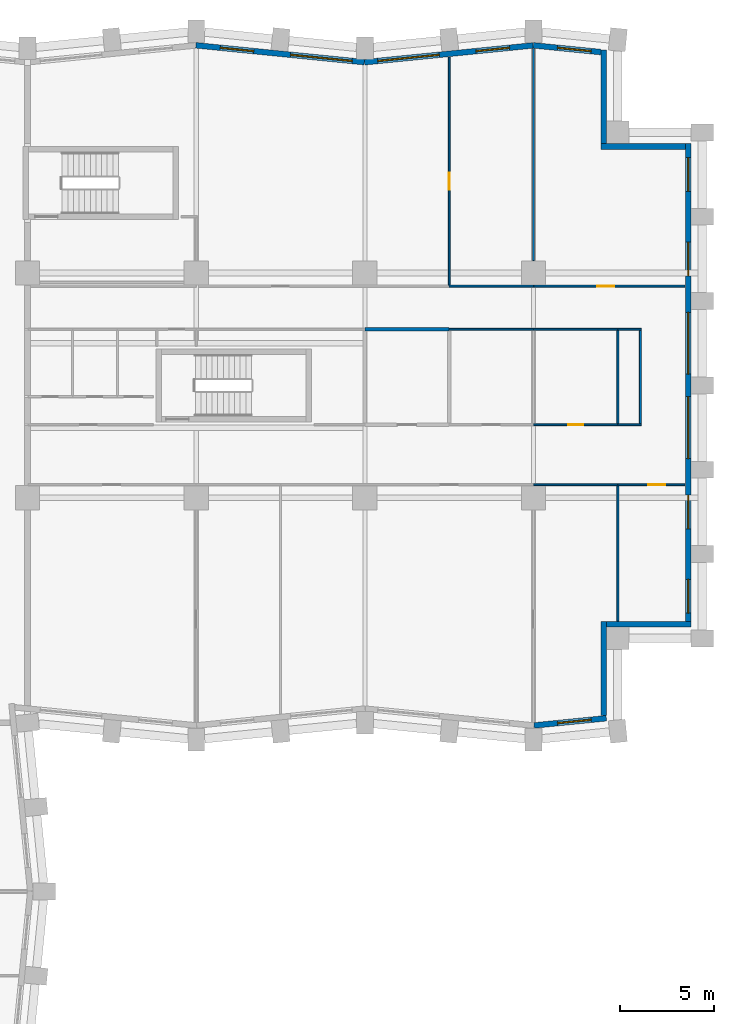
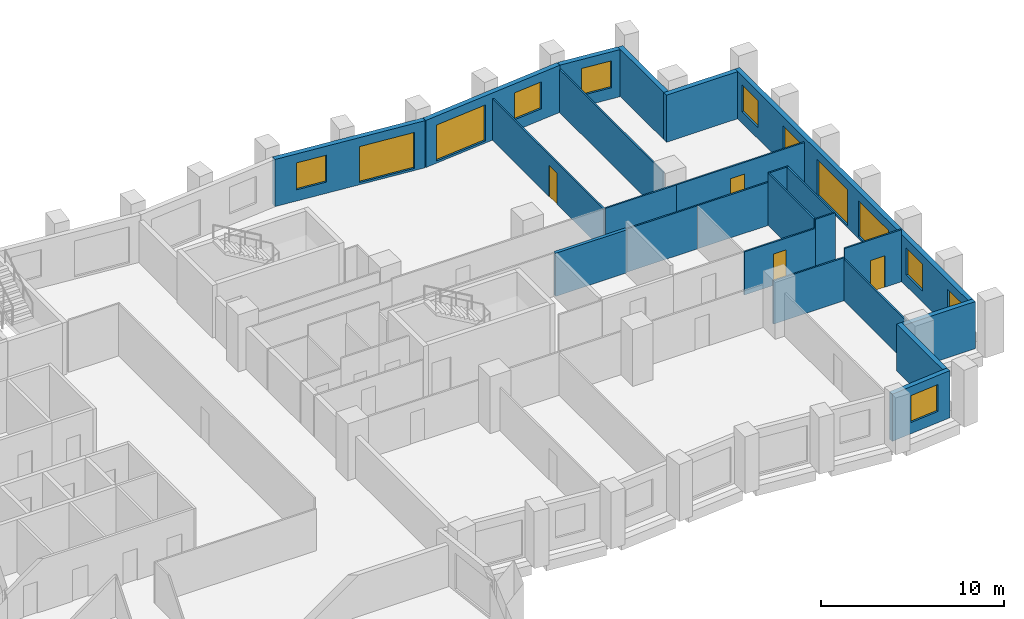
# One storey, part 8 of 11: 24 walls, 12 windows, 4 doors, 16 openings.
"""IFC4 building model written with IfcOpenShell, lengths in metres."""

from ifc_helpers import new_model, si_unit, direction, frame, frame_2d, origin, place, context, subcontext, project, spatial, rectangle, extrude, material, layer, layer_set, type_object, element, fill, save


model = new_model("IFC4")

# Units and contexts
model_context = context("Model", 3, precision=1e-05, world=origin(), true_north=direction((0.0, 1.0)))
body_context = subcontext(model_context, "Body", "Model", "MODEL_VIEW")
ifc_project = project(units=[si_unit("LENGTHUNIT", "METRE"), si_unit("AREAUNIT", "SQUARE_METRE"), si_unit("VOLUMEUNIT", "CUBIC_METRE"), si_unit("PLANEANGLEUNIT", "RADIAN"), si_unit("MASSUNIT", "GRAM", prefix="KILO")], contexts=[model_context])

# Site, building, storey
site_placement = place(None, origin())
site = spatial("IfcSite", under=ifc_project, at=site_placement, CompositionType="ELEMENT")
building_placement = place(site_placement, origin())
building = spatial("IfcBuilding", under=site, at=building_placement, Name="Brondeck Convention Tower", CompositionType="ELEMENT")
storey_placement = place(building_placement, frame((0.0, 0.0, 96.10009765625)))
storey = spatial("IfcBuildingStorey", under=building, at=storey_placement, Name="L22", CompositionType="ELEMENT", Elevation=96.10009765625)

# Wall, opening, window
ifc_material_1 = material(Name="Precast concrete C50/60 bronze finish", Category="concrete")
ifc_layer_1 = layer(ifc_material_1, 0.070068359375, Name="Bronze precast facing")
ifc_material_2 = material(Name="Mineral wool")
ifc_layer_2 = layer(ifc_material_2, 0.159912109375, Name="Insulation")
ifc_material_3 = material(Name="Concrete C35/45", Category="concrete")
ifc_layer_3 = layer(ifc_material_3, 0.070068359375, Name="Backing")
ifc_layer_set_1 = layer_set([ifc_layer_1, ifc_layer_2, ifc_layer_3], Name="External infill wall, precast concrete C50/60 bronze facing")
wall_type_1 = type_object("IfcWallType", Name="External infill wall, precast concrete C50/60 bronze facing", PredefinedType="SOLIDWALL", material=ifc_layer_set_1)
wall_1_placement = place(storey_placement, frame((66.885009765625, 27.2421875, 0.0), z_axis=(0.0, 0.0, 1.0), x_axis=(-0.995037814081, -0.099497480111, 0.0)))
wall_1 = element("IfcWall", 1, at=wall_1_placement, inside=storey, type_object=wall_type_1, Name="ENV-EW-L22-P0-A-S-06", PredefinedType="SOLIDWALL", context=body_context, shape_type="SweptSolid", body=[
    extrude(rectangle(XDim=3.87451171875, YDim=0.300048828125, at=frame_2d((1.937255859375, 0.0))), origin(), (0.0, 0.0, 1.0), 3.14990234375),
])
opening_1_placement = place(wall_1_placement, frame((0.818359375, 0.0, 0.75)))
opening_1 = element("IfcOpeningElement", 2, at=opening_1_placement, cuts=wall_1, Name="Opening W10", PredefinedType="OPENING", context=body_context, shape_type="SweptSolid", body=[
    extrude(rectangle(XDim=1.800048828125, YDim=1.800048828125, at=frame_2d((0.89990234375, 0.89990234375))), frame((0.0, 0.159912109375, 0.0), z_axis=(0.0, -1.0, 0.0), x_axis=(1.0, 0.0, 0.0)), (0.0, 0.0, 1.0), 0.320068359375),
])
ifc_material_4 = material(Name="Bronze tinted double glazing", Category="glass")
window_type_1 = type_object("IfcWindowType", Name="Punched window, bronze tinted", PartitioningType="SINGLE_PANEL", PredefinedType="WINDOW", material=ifc_material_4)
window_1_placement = place(opening_1_placement, origin())
window_1 = element("IfcWindow", 3, at=window_1_placement, inside=storey, type_object=window_type_1, Name="ENV-WN-L22-P0-A-S-06", OverallHeight=1.800048828125, OverallWidth=1.800048828125, PartitioningType="SINGLE_PANEL", PredefinedType="WINDOW", context=body_context, shape_type="SweptSolid", body=[
    extrude(rectangle(XDim=1.800048828125, YDim=1.800048828125, at=frame_2d((0.89990234375, 0.89990234375))), frame((0.0, 0.030029296875, 0.0), z_axis=(0.0, -1.0, 0.0), x_axis=(1.0, 0.0, 0.0)), (0.0, 0.0, 1.0), 0.06005859375),
])
fill(opening_1, window_1)

# Walls
wall_2_placement = place(storey_placement, frame((66.75, 32.39990234375, 0.0), z_axis=(0.0, 0.0, 1.0), x_axis=(0.0, -1.0, 0.0)))
element("IfcWall", 4, at=wall_2_placement, inside=storey, type_object=wall_type_1, Name="ENV-EW-L22-P0-NC-SEA72-01", PredefinedType="SOLIDWALL", context=body_context, shape_type="SweptSolid", body=[
    extrude(rectangle(XDim=5.019287109375, YDim=0.300048828125, at=frame_2d((2.509765625, 0.0))), origin(), (0.0, 0.0, 1.0), 3.14990234375),
])
wall_3_placement = place(storey_placement, frame((71.39990234375, 32.25, 0.0), z_axis=(0.0, 0.0, 1.0), x_axis=(-1.0, 0.0, 0.0)))
element("IfcWall", 5, at=wall_3_placement, inside=storey, type_object=wall_type_1, Name="ENV-EW-L22-P0-NC-SEA72-02", PredefinedType="SOLIDWALL", context=body_context, shape_type="SweptSolid", body=[
    extrude(rectangle(XDim=4.5, YDim=0.300048828125, at=frame_2d((2.25, 0.0))), origin(), (0.0, 0.0, 1.0), 3.14990234375),
])

# Wall, openings, windows
wall_4_placement = place(storey_placement, frame((71.25, 57.89990234375, 0.0), z_axis=(0.0, 0.0, 1.0), x_axis=(0.0, -1.0, 0.0)))
wall_4 = element("IfcWall", 6, at=wall_4_placement, inside=storey, type_object=wall_type_1, Name="ENV-EW-L22-P0-A-E72-01", PredefinedType="SOLIDWALL", context=body_context, shape_type="SweptSolid", body=[
    extrude(rectangle(XDim=25.501953125, YDim=0.300048828125, at=frame_2d((12.7509765625, 0.0))), origin(), (0.0, 0.0, 1.0), 3.14990234375),
])
opening_2_placement = place(wall_4_placement, frame((0.75, 0.0, 0.75)))
opening_2 = element("IfcOpeningElement", 7, at=opening_2_placement, cuts=wall_4, Name="Opening W10", PredefinedType="OPENING", context=body_context, shape_type="SweptSolid", body=[
    extrude(rectangle(XDim=1.800048828125, YDim=1.800048828125, at=frame_2d((0.89990234375, 0.89990234375))), frame((0.0, 0.159912109375, 0.0), z_axis=(0.0, -1.0, 0.0), x_axis=(1.0, 0.0, 0.0)), (0.0, 0.0, 1.0), 0.320068359375),
])
opening_3_placement = place(wall_4_placement, frame((5.25, 0.0, 0.75)))
opening_3 = element("IfcOpeningElement", 8, at=opening_3_placement, cuts=wall_4, Name="Opening W10", PredefinedType="OPENING", context=body_context, shape_type="SweptSolid", body=[
    extrude(rectangle(XDim=1.800048828125, YDim=1.800048828125, at=frame_2d((0.89990234375, 0.89990234375))), frame((0.0, 0.159912109375, 0.0), z_axis=(0.0, -1.0, 0.0), x_axis=(1.0, 0.0, 0.0)), (0.0, 0.0, 1.0), 0.320068359375),
])
opening_4_placement = place(wall_4_placement, frame((9.0, 0.0, 0.14990234375)))
opening_4 = element("IfcOpeningElement", 9, at=opening_4_placement, cuts=wall_4, Name="Opening W9", PredefinedType="OPENING", context=body_context, shape_type="SweptSolid", body=[
    extrude(rectangle(XDim=3.300048828125, YDim=2.39990234375, at=frame_2d((1.64990234375, 1.199951171875))), frame((0.0, 0.159912109375, 0.0), z_axis=(0.0, -1.0, 0.0), x_axis=(1.0, 0.0, 0.0)), (0.0, 0.0, 1.0), 0.320068359375),
])
opening_5_placement = place(wall_4_placement, frame((13.5, 0.0, 0.14990234375)))
opening_5 = element("IfcOpeningElement", 10, at=opening_5_placement, cuts=wall_4, Name="Opening W9", PredefinedType="OPENING", context=body_context, shape_type="SweptSolid", body=[
    extrude(rectangle(XDim=3.300048828125, YDim=2.39990234375, at=frame_2d((1.64990234375, 1.199951171875))), frame((0.0, 0.159912109375, 0.0), z_axis=(0.0, -1.0, 0.0), x_axis=(1.0, 0.0, 0.0)), (0.0, 0.0, 1.0), 0.320068359375),
])
opening_6_placement = place(wall_4_placement, frame((18.75, 0.0, 0.75)))
opening_6 = element("IfcOpeningElement", 11, at=opening_6_placement, cuts=wall_4, Name="Opening W10", PredefinedType="OPENING", context=body_context, shape_type="SweptSolid", body=[
    extrude(rectangle(XDim=1.800048828125, YDim=1.800048828125, at=frame_2d((0.89990234375, 0.89990234375))), frame((0.0, 0.159912109375, 0.0), z_axis=(0.0, -1.0, 0.0), x_axis=(1.0, 0.0, 0.0)), (0.0, 0.0, 1.0), 0.320068359375),
])
opening_7_placement = place(wall_4_placement, frame((23.25, 0.0, 0.75)))
opening_7 = element("IfcOpeningElement", 12, at=opening_7_placement, cuts=wall_4, Name="Opening W10", PredefinedType="OPENING", context=body_context, shape_type="SweptSolid", body=[
    extrude(rectangle(XDim=1.800048828125, YDim=1.800048828125, at=frame_2d((0.89990234375, 0.89990234375))), frame((0.0, 0.159912109375, 0.0), z_axis=(0.0, -1.0, 0.0), x_axis=(1.0, 0.0, 0.0)), (0.0, 0.0, 1.0), 0.320068359375),
])
window_type_2 = type_object("IfcWindowType", Name="Glazed flute window, bronze tinted", PartitioningType="SINGLE_PANEL", PredefinedType="WINDOW", material=ifc_material_4)
window_2_placement = place(opening_4_placement, origin())
window_2 = element("IfcWindow", 13, at=window_2_placement, inside=storey, type_object=window_type_2, Name="ENV-WN-L22-P0-A-E72-04", OverallHeight=2.39990234375, OverallWidth=3.300048828125, PartitioningType="SINGLE_PANEL", PredefinedType="WINDOW", context=body_context, shape_type="SweptSolid", body=[
    extrude(rectangle(XDim=3.300048828125, YDim=2.39990234375, at=frame_2d((1.64990234375, 1.199951171875))), frame((0.0, 0.030029296875, 0.0), z_axis=(0.0, -1.0, 0.0), x_axis=(1.0, 0.0, 0.0)), (0.0, 0.0, 1.0), 0.06005859375),
])
fill(opening_4, window_2)
window_3_placement = place(opening_5_placement, origin())
window_3 = element("IfcWindow", 14, at=window_3_placement, inside=storey, type_object=window_type_2, Name="ENV-WN-L22-P0-A-E72-03", OverallHeight=2.39990234375, OverallWidth=3.300048828125, PartitioningType="SINGLE_PANEL", PredefinedType="WINDOW", context=body_context, shape_type="SweptSolid", body=[
    extrude(rectangle(XDim=3.300048828125, YDim=2.39990234375, at=frame_2d((1.64990234375, 1.199951171875))), frame((0.0, 0.030029296875, 0.0), z_axis=(0.0, -1.0, 0.0), x_axis=(1.0, 0.0, 0.0)), (0.0, 0.0, 1.0), 0.06005859375),
])
fill(opening_5, window_3)
window_4_placement = place(opening_2_placement, origin())
window_4 = element("IfcWindow", 15, at=window_4_placement, inside=storey, type_object=window_type_1, Name="ENV-WN-L22-P0-A-E72-06", OverallHeight=1.800048828125, OverallWidth=1.800048828125, PartitioningType="SINGLE_PANEL", PredefinedType="WINDOW", context=body_context, shape_type="SweptSolid", body=[
    extrude(rectangle(XDim=1.800048828125, YDim=1.800048828125, at=frame_2d((0.89990234375, 0.89990234375))), frame((0.0, 0.030029296875, 0.0), z_axis=(0.0, -1.0, 0.0), x_axis=(1.0, 0.0, 0.0)), (0.0, 0.0, 1.0), 0.06005859375),
])
fill(opening_2, window_4)
window_5_placement = place(opening_3_placement, origin())
window_5 = element("IfcWindow", 16, at=window_5_placement, inside=storey, type_object=window_type_1, Name="ENV-WN-L22-P0-A-E72-05", OverallHeight=1.800048828125, OverallWidth=1.800048828125, PartitioningType="SINGLE_PANEL", PredefinedType="WINDOW", context=body_context, shape_type="SweptSolid", body=[
    extrude(rectangle(XDim=1.800048828125, YDim=1.800048828125, at=frame_2d((0.89990234375, 0.89990234375))), frame((0.0, 0.030029296875, 0.0), z_axis=(0.0, -1.0, 0.0), x_axis=(1.0, 0.0, 0.0)), (0.0, 0.0, 1.0), 0.06005859375),
])
fill(opening_3, window_5)
window_6_placement = place(opening_6_placement, origin())
window_6 = element("IfcWindow", 17, at=window_6_placement, inside=storey, type_object=window_type_1, Name="ENV-WN-L22-P0-A-E72-02", OverallHeight=1.800048828125, OverallWidth=1.800048828125, PartitioningType="SINGLE_PANEL", PredefinedType="WINDOW", context=body_context, shape_type="SweptSolid", body=[
    extrude(rectangle(XDim=1.800048828125, YDim=1.800048828125, at=frame_2d((0.89990234375, 0.89990234375))), frame((0.0, 0.030029296875, 0.0), z_axis=(0.0, -1.0, 0.0), x_axis=(1.0, 0.0, 0.0)), (0.0, 0.0, 1.0), 0.06005859375),
])
fill(opening_6, window_6)
window_7_placement = place(opening_7_placement, origin())
window_7 = element("IfcWindow", 18, at=window_7_placement, inside=storey, type_object=window_type_1, Name="ENV-WN-L22-P0-A-E72-01", OverallHeight=1.800048828125, OverallWidth=1.800048828125, PartitioningType="SINGLE_PANEL", PredefinedType="WINDOW", context=body_context, shape_type="SweptSolid", body=[
    extrude(rectangle(XDim=1.800048828125, YDim=1.800048828125, at=frame_2d((0.89990234375, 0.89990234375))), frame((0.0, 0.030029296875, 0.0), z_axis=(0.0, -1.0, 0.0), x_axis=(1.0, 0.0, 0.0)), (0.0, 0.0, 1.0), 0.06005859375),
])
fill(opening_7, window_7)

# Walls
wall_5_placement = place(storey_placement, frame((66.60009765625, 57.75, 0.0), z_axis=(0.0, 0.0, 1.0), x_axis=(1.0, 0.0, 0.0)))
element("IfcWall", 19, at=wall_5_placement, inside=storey, type_object=wall_type_1, Name="ENV-EW-L22-P0-NC-NEA72-01", PredefinedType="SOLIDWALL", context=body_context, shape_type="SweptSolid", body=[
    extrude(rectangle(XDim=4.5, YDim=0.300048828125, at=frame_2d((2.25, 0.0))), origin(), (0.0, 0.0, 1.0), 3.14990234375),
])
wall_6_placement = place(storey_placement, frame((66.75, 62.906982421875, 0.0), z_axis=(0.0, 0.0, 1.0), x_axis=(0.0, -1.0, 0.0)))
element("IfcWall", 20, at=wall_6_placement, inside=storey, type_object=wall_type_1, Name="ENV-EW-L22-P0-NC-NEA72-02", PredefinedType="SOLIDWALL", context=body_context, shape_type="SweptSolid", body=[
    extrude(rectangle(XDim=5.009033203125, YDim=0.300048828125, at=frame_2d((2.50439453125, 0.0))), origin(), (0.0, 0.0, 1.0), 3.14990234375),
])

# Wall, opening, window
wall_7_placement = place(storey_placement, frame((62.985107421875, 63.147705078125, 0.0), z_axis=(0.0, 0.0, 1.0), x_axis=(0.995038521274, -0.099490407478, 0.0)))
wall_7 = element("IfcWall", 21, at=wall_7_placement, inside=storey, type_object=wall_type_1, Name="ENV-EW-L22-P0-A-N-14", PredefinedType="SOLIDWALL", context=body_context, shape_type="SweptSolid", body=[
    extrude(rectangle(XDim=3.6318359375, YDim=0.300048828125, at=frame_2d((1.81591796875, 0.0))), origin(), (0.0, 0.0, 1.0), 3.14990234375),
])
opening_8_placement = place(wall_7_placement, frame((1.30126953125, 0.0, 0.75)))
opening_8 = element("IfcOpeningElement", 22, at=opening_8_placement, cuts=wall_7, Name="Opening W10", PredefinedType="OPENING", context=body_context, shape_type="SweptSolid", body=[
    extrude(rectangle(XDim=1.800048828125, YDim=1.800048828125, at=frame_2d((0.89990234375, 0.89990234375))), frame((0.0, 0.159912109375, 0.0), z_axis=(0.0, -1.0, 0.0), x_axis=(1.0, 0.0, 0.0)), (0.0, 0.0, 1.0), 0.320068359375),
])
window_8_placement = place(opening_8_placement, origin())
window_8 = element("IfcWindow", 23, at=window_8_placement, inside=storey, type_object=window_type_1, Name="ENV-WN-L22-P0-A-N-14", OverallHeight=1.800048828125, OverallWidth=1.800048828125, PartitioningType="SINGLE_PANEL", PredefinedType="WINDOW", context=body_context, shape_type="SweptSolid", body=[
    extrude(rectangle(XDim=1.800048828125, YDim=1.800048828125, at=frame_2d((0.89990234375, 0.89990234375))), frame((0.0, 0.030029296875, 0.0), z_axis=(0.0, -1.0, 0.0), x_axis=(1.0, 0.0, 0.0)), (0.0, 0.0, 1.0), 0.06005859375),
])
fill(opening_8, window_8)

# Wall, openings, windows
wall_8_placement = place(storey_placement, frame((53.985107421875, 62.244873046875, 0.0), z_axis=(0.0, 0.0, 1.0), x_axis=(0.995037993253, 0.099495688264, 0.0)))
wall_8 = element("IfcWall", 24, at=wall_8_placement, inside=storey, type_object=wall_type_1, Name="ENV-EW-L22-P0-A-N-13", PredefinedType="SOLIDWALL", context=body_context, shape_type="SweptSolid", body=[
    extrude(rectangle(XDim=9.030029296875, YDim=0.300048828125, at=frame_2d((4.51513671875, 0.0))), origin(), (0.0, 0.0, 1.0), 3.14990234375),
])
opening_9_placement = place(wall_8_placement, frame((0.701171875, 0.0, 0.14990234375)))
opening_9 = element("IfcOpeningElement", 25, at=opening_9_placement, cuts=wall_8, Name="Opening W9", PredefinedType="OPENING", context=body_context, shape_type="SweptSolid", body=[
    extrude(rectangle(XDim=3.300048828125, YDim=2.39990234375, at=frame_2d((1.64990234375, 1.199951171875))), frame((0.0, 0.159912109375, 0.0), z_axis=(0.0, -1.0, 0.0), x_axis=(1.0, 0.0, 0.0)), (0.0, 0.0, 1.0), 0.320068359375),
])
opening_10_placement = place(wall_8_placement, frame((5.9736328125, 0.0, 0.75)))
opening_10 = element("IfcOpeningElement", 26, at=opening_10_placement, cuts=wall_8, Name="Opening W10", PredefinedType="OPENING", context=body_context, shape_type="SweptSolid", body=[
    extrude(rectangle(XDim=1.800048828125, YDim=1.800048828125, at=frame_2d((0.89990234375, 0.89990234375))), frame((0.0, 0.159912109375, 0.0), z_axis=(0.0, -1.0, 0.0), x_axis=(1.0, 0.0, 0.0)), (0.0, 0.0, 1.0), 0.320068359375),
])
window_9_placement = place(opening_9_placement, origin())
window_9 = element("IfcWindow", 27, at=window_9_placement, inside=storey, type_object=window_type_2, Name="ENV-WN-L22-P0-A-N-12", OverallHeight=2.39990234375, OverallWidth=3.300048828125, PartitioningType="SINGLE_PANEL", PredefinedType="WINDOW", context=body_context, shape_type="SweptSolid", body=[
    extrude(rectangle(XDim=3.300048828125, YDim=2.39990234375, at=frame_2d((1.64990234375, 1.199951171875))), frame((0.0, 0.030029296875, 0.0), z_axis=(0.0, -1.0, 0.0), x_axis=(1.0, 0.0, 0.0)), (0.0, 0.0, 1.0), 0.06005859375),
])
fill(opening_9, window_9)
window_10_placement = place(opening_10_placement, origin())
window_10 = element("IfcWindow", 28, at=window_10_placement, inside=storey, type_object=window_type_1, Name="ENV-WN-L22-P0-A-N-13", OverallHeight=1.800048828125, OverallWidth=1.800048828125, PartitioningType="SINGLE_PANEL", PredefinedType="WINDOW", context=body_context, shape_type="SweptSolid", body=[
    extrude(rectangle(XDim=1.800048828125, YDim=1.800048828125, at=frame_2d((0.89990234375, 0.89990234375))), frame((0.0, 0.030029296875, 0.0), z_axis=(0.0, -1.0, 0.0), x_axis=(1.0, 0.0, 0.0)), (0.0, 0.0, 1.0), 0.06005859375),
])
fill(opening_10, window_10)

wall_9_placement = place(storey_placement, frame((44.985107421875, 63.147705078125, 0.0), z_axis=(0.0, 0.0, 1.0), x_axis=(0.995037993253, -0.099495688264, 0.0)))
wall_9 = element("IfcWall", 29, at=wall_9_placement, inside=storey, type_object=wall_type_1, Name="ENV-EW-L22-P0-A-N-11", PredefinedType="SOLIDWALL", context=body_context, shape_type="SweptSolid", body=[
    extrude(rectangle(XDim=9.030029296875, YDim=0.300048828125, at=frame_2d((4.51513671875, 0.0))), origin(), (0.0, 0.0, 1.0), 3.14990234375),
])
opening_11_placement = place(wall_9_placement, frame((1.30126953125, 0.0, 0.75)))
opening_11 = element("IfcOpeningElement", 30, at=opening_11_placement, cuts=wall_9, Name="Opening W10", PredefinedType="OPENING", context=body_context, shape_type="SweptSolid", body=[
    extrude(rectangle(XDim=1.800048828125, YDim=1.800048828125, at=frame_2d((0.89990234375, 0.89990234375))), frame((0.0, 0.159912109375, 0.0), z_axis=(0.0, -1.0, 0.0), x_axis=(1.0, 0.0, 0.0)), (0.0, 0.0, 1.0), 0.320068359375),
])
opening_12_placement = place(wall_9_placement, frame((5.073486328125, 0.0, 0.14990234375)))
opening_12 = element("IfcOpeningElement", 31, at=opening_12_placement, cuts=wall_9, Name="Opening W9", PredefinedType="OPENING", context=body_context, shape_type="SweptSolid", body=[
    extrude(rectangle(XDim=3.300048828125, YDim=2.39990234375, at=frame_2d((1.64990234375, 1.199951171875))), frame((0.0, 0.159912109375, 0.0), z_axis=(0.0, -1.0, 0.0), x_axis=(1.0, 0.0, 0.0)), (0.0, 0.0, 1.0), 0.320068359375),
])
window_11_placement = place(opening_12_placement, origin())
window_11 = element("IfcWindow", 32, at=window_11_placement, inside=storey, type_object=window_type_2, Name="ENV-WN-L22-P0-A-N-11", OverallHeight=2.39990234375, OverallWidth=3.300048828125, PartitioningType="SINGLE_PANEL", PredefinedType="WINDOW", context=body_context, shape_type="SweptSolid", body=[
    extrude(rectangle(XDim=3.300048828125, YDim=2.39990234375, at=frame_2d((1.64990234375, 1.199951171875))), frame((0.0, 0.030029296875, 0.0), z_axis=(0.0, -1.0, 0.0), x_axis=(1.0, 0.0, 0.0)), (0.0, 0.0, 1.0), 0.06005859375),
])
fill(opening_12, window_11)
window_12_placement = place(opening_11_placement, origin())
window_12 = element("IfcWindow", 33, at=window_12_placement, inside=storey, type_object=window_type_1, Name="ENV-WN-L22-P0-A-N-10", OverallHeight=1.800048828125, OverallWidth=1.800048828125, PartitioningType="SINGLE_PANEL", PredefinedType="WINDOW", context=body_context, shape_type="SweptSolid", body=[
    extrude(rectangle(XDim=1.800048828125, YDim=1.800048828125, at=frame_2d((0.89990234375, 0.89990234375))), frame((0.0, 0.030029296875, 0.0), z_axis=(0.0, -1.0, 0.0), x_axis=(1.0, 0.0, 0.0)), (0.0, 0.0, 1.0), 0.06005859375),
])
fill(opening_11, window_12)

# Walls
ifc_material_5 = material(Name="Concrete block wall C16/20", Category="concrete")
ifc_layer_4 = layer(ifc_material_5, 0.199951171875)
ifc_layer_set_2 = layer_set([ifc_layer_4], Name="Plant room wall 200")
wall_type_2 = type_object("IfcWallType", Name="Plant room wall 200", PredefinedType="PARTITIONING", material=ifc_layer_set_2)
wall_10_placement = place(storey_placement, frame((58.5, 48.0, 0.0), z_axis=(0.0, 0.0, 1.0), x_axis=(-1.0, 0.0, 0.0)))
element("IfcWall", 34, at=wall_10_placement, inside=storey, type_object=wall_type_2, Name="FLR-L22-W064", PredefinedType="PARTITIONING", context=body_context, shape_type="SweptSolid", body=[
    extrude(rectangle(XDim=4.5, YDim=0.199951171875, at=frame_2d((2.25, 0.0))), origin(), (0.0, 0.0, 1.0), 2.8798828125),
])
ifc_material_6 = material(Name="Gypsum board partition on steel studs", Category="steel")
ifc_layer_5 = layer(ifc_material_6, 0.10009765625)
ifc_layer_set_3 = layer_set([ifc_layer_5], Name="Room partition 100")
wall_type_3 = type_object("IfcWallType", Name="Room partition 100", PredefinedType="PARTITIONING", material=ifc_layer_set_3)
wall_11_placement = place(storey_placement, frame((67.5, 39.64990234375, 0.0), z_axis=(0.0, 0.0, 1.0), x_axis=(0.0, -1.0, 0.0)))
element("IfcWall", 35, at=wall_11_placement, inside=storey, type_object=wall_type_3, Name="FLR-L22-W032", PredefinedType="PARTITIONING", context=body_context, shape_type="SweptSolid", body=[
    extrude(rectangle(XDim=7.22998046875, YDim=0.10009765625, at=frame_2d((3.614990234375, 0.0))), origin(), (0.0, 0.0, 1.0), 2.77978515625),
])
wall_12_placement = place(storey_placement, frame((67.5, 39.699951171875, 0.0), z_axis=(0.0, 0.0, 1.0), x_axis=(-1.0, 0.0, 0.0)))
element("IfcWall", 36, at=wall_12_placement, inside=storey, type_object=wall_type_3, Name="FLR-L22-W036", PredefinedType="PARTITIONING", context=body_context, shape_type="SweptSolid", body=[
    extrude(rectangle(XDim=4.5, YDim=0.10009765625, at=frame_2d((2.25, 0.0))), origin(), (0.0, 0.0, 1.0), 2.8798828125),
])

# Wall, opening, door
wall_13_placement = place(storey_placement, frame((71.080078125, 39.699951171875, 0.0), z_axis=(0.0, 0.0, 1.0), x_axis=(-1.0, 0.0, 0.0)))
wall_13 = element("IfcWall", 37, at=wall_13_placement, inside=storey, type_object=wall_type_3, Name="FLR-L22-W037", PredefinedType="PARTITIONING", context=body_context, shape_type="SweptSolid", body=[
    extrude(rectangle(XDim=3.580078125, YDim=0.10009765625, at=frame_2d((1.7900390625, 0.0))), origin(), (0.0, 0.0, 1.0), 3.47998046875),
])
opening_13_placement = place(wall_13_placement, frame((1.048095703125, 0.0, 0.0)))
opening_13 = element("IfcOpeningElement", 38, at=opening_13_placement, cuts=wall_13, Name="Opening OF-A-014", PredefinedType="OPENING", context=body_context, shape_type="SweptSolid", body=[
    extrude(rectangle(XDim=0.89990234375, YDim=2.10009765625, at=frame_2d((0.449951171875, 1.050048828125))), frame((0.0, 0.06005859375, 0.0), z_axis=(0.0, -1.0, 0.0), x_axis=(1.0, 0.0, 0.0)), (0.0, 0.0, 1.0), 0.1201171875),
])
ifc_material_7 = material(Name="Solid timber door leaf", Category="wood")
door_type_1 = type_object("IfcDoorType", Name="Single door 900", OperationType="NOTDEFINED", PredefinedType="DOOR", material=ifc_material_7)
door_1_placement = place(opening_13_placement, origin())
door_1 = element("IfcDoor", 39, at=door_1_placement, inside=storey, type_object=door_type_1, Name="Door OF-A-014", OperationType="SINGLE_SWING_LEFT", OverallHeight=2.10009765625, OverallWidth=0.89990234375, PredefinedType="DOOR", context=body_context, shape_type="SweptSolid", body=[
    extrude(rectangle(XDim=0.89990234375, YDim=2.10009765625, at=frame_2d((0.449951171875, 1.050048828125))), frame((0.0, 0.02490234375, 0.0), z_axis=(0.0, -1.0, 0.0), x_axis=(1.0, 0.0, 0.0)), (0.0, 0.0, 1.0), 0.050048828125),
])
fill(opening_13, door_1)

wall_14_placement = place(storey_placement, frame((63.0, 42.89990234375, 0.0), z_axis=(0.0, 0.0, 1.0), x_axis=(1.0, 0.0, 0.0)))
wall_14 = element("IfcWall", 40, at=wall_14_placement, inside=storey, type_object=wall_type_3, Name="FLR-L22-W043", PredefinedType="PARTITIONING", context=body_context, shape_type="SweptSolid", body=[
    extrude(rectangle(XDim=4.5, YDim=0.10009765625, at=frame_2d((2.25, 0.0))), origin(), (0.0, 0.0, 1.0), 2.8798828125),
])
opening_14_placement = place(wall_14_placement, frame((1.85009765625, 0.0, 0.0)))
opening_14 = element("IfcOpeningElement", 41, at=opening_14_placement, cuts=wall_14, Name="Opening OF-A-009", PredefinedType="OPENING", context=body_context, shape_type="SweptSolid", body=[
    extrude(rectangle(XDim=0.800048828125, YDim=2.10009765625, at=frame_2d((0.39990234375, 1.050048828125))), frame((0.0, 0.06005859375, 0.0), z_axis=(0.0, -1.0, 0.0), x_axis=(1.0, 0.0, 0.0)), (0.0, 0.0, 1.0), 0.1201171875),
])
ifc_material_8 = material(Name="Steel service door leaf", Category="steel")
door_type_2 = type_object("IfcDoorType", Name="Service door 800", OperationType="NOTDEFINED", PredefinedType="DOOR", material=ifc_material_8)
door_2_placement = place(opening_14_placement, origin())
door_2 = element("IfcDoor", 42, at=door_2_placement, inside=storey, type_object=door_type_2, Name="Door OF-A-009", OperationType="SINGLE_SWING_RIGHT", OverallHeight=2.10009765625, OverallWidth=0.800048828125, PredefinedType="DOOR", context=body_context, shape_type="SweptSolid", body=[
    extrude(rectangle(XDim=0.800048828125, YDim=2.10009765625, at=frame_2d((0.39990234375, 1.050048828125))), frame((0.0, 0.02490234375, 0.0), z_axis=(0.0, -1.0, 0.0), x_axis=(1.0, 0.0, 0.0)), (0.0, 0.0, 1.0), 0.050048828125),
])
fill(opening_14, door_2)

# Walls
wall_15_placement = place(storey_placement, frame((67.5, 42.89990234375, 0.0), z_axis=(0.0, 0.0, 1.0), x_axis=(1.0, 0.0, 0.0)))
element("IfcWall", 43, at=wall_15_placement, inside=storey, type_object=wall_type_3, Name="FLR-L22-W044", PredefinedType="PARTITIONING", context=body_context, shape_type="SweptSolid", body=[
    extrude(rectangle(XDim=1.25, YDim=0.10009765625, at=frame_2d((0.625, 0.0))), origin(), (0.0, 0.0, 1.0), 3.47998046875),
])
for number, where, z_axis, x_axis, name in (
    (44, (68.699951171875, 42.949951171875, 0.0), (0.0, 0.0, 1.0), (0.0, 1.0, 0.0), "FLR-L22-W046"),
    (45, (67.5, 47.949951171875, 0.0), (0.0, 0.0, 1.0), (0.0, -1.0, 0.0), "FLR-L22-W058"),
):
    element("IfcWall", number, at=place(storey_placement, frame(where, z_axis=z_axis, x_axis=x_axis)), inside=storey, type_object=wall_type_3, Name=name, PredefinedType="PARTITIONING", context=body_context, shape_type="SweptSolid", body=[
        extrude(rectangle(XDim=5.0, YDim=0.10009765625, at=frame_2d((2.5, 0.0))), origin(), (0.0, 0.0, 1.0), 3.47998046875),
    ])
for number, where, z_axis, x_axis, name in (
    (46, (63.0, 48.0, 0.0), (0.0, 0.0, 1.0), (-1.0, 0.0, 0.0), "FLR-L22-W065"),
    (47, (67.5, 48.0, 0.0), (0.0, 0.0, 1.0), (-1.0, 0.0, 0.0), "FLR-L22-W066"),
):
    element("IfcWall", number, at=place(storey_placement, frame(where, z_axis=z_axis, x_axis=x_axis)), inside=storey, type_object=wall_type_3, Name=name, PredefinedType="PARTITIONING", context=body_context, shape_type="SweptSolid", body=[
        extrude(rectangle(XDim=4.5, YDim=0.10009765625, at=frame_2d((2.25, 0.0))), origin(), (0.0, 0.0, 1.0), 2.8798828125),
    ])
wall_16_placement = place(storey_placement, frame((68.75, 48.0, 0.0), z_axis=(0.0, 0.0, 1.0), x_axis=(-1.0, 0.0, 0.0)))
element("IfcWall", 48, at=wall_16_placement, inside=storey, type_object=wall_type_3, Name="FLR-L22-W067", PredefinedType="PARTITIONING", context=body_context, shape_type="SweptSolid", body=[
    extrude(rectangle(XDim=1.25, YDim=0.10009765625, at=frame_2d((0.625, 0.0))), origin(), (0.0, 0.0, 1.0), 3.47998046875),
])
wall_17_placement = place(storey_placement, frame((58.5, 50.300048828125, 0.0), z_axis=(0.0, 0.0, 1.0), x_axis=(1.0, 0.0, 0.0)))
element("IfcWall", 49, at=wall_17_placement, inside=storey, type_object=wall_type_3, Name="FLR-L22-W071", PredefinedType="PARTITIONING", context=body_context, shape_type="SweptSolid", body=[
    extrude(rectangle(XDim=4.5, YDim=0.10009765625, at=frame_2d((2.25, 0.0))), origin(), (0.0, 0.0, 1.0), 2.8798828125),
])

# Wall, opening, door
wall_18_placement = place(storey_placement, frame((63.0, 50.300048828125, 0.0), z_axis=(0.0, 0.0, 1.0), x_axis=(1.0, 0.0, 0.0)))
wall_18 = element("IfcWall", 50, at=wall_18_placement, inside=storey, type_object=wall_type_3, Name="FLR-L22-W072", PredefinedType="PARTITIONING", context=body_context, shape_type="SweptSolid", body=[
    extrude(rectangle(XDim=8.080078125, YDim=0.10009765625, at=frame_2d((4.0400390625, 0.0))), origin(), (0.0, 0.0, 1.0), 2.8798828125),
])
opening_15_placement = place(wall_18_placement, frame((3.39892578125, 0.0, 0.0)))
opening_15 = element("IfcOpeningElement", 51, at=opening_15_placement, cuts=wall_18, Name="Opening OF-A-017", PredefinedType="OPENING", context=body_context, shape_type="SweptSolid", body=[
    extrude(rectangle(XDim=0.89990234375, YDim=2.10009765625, at=frame_2d((0.449951171875, 1.050048828125))), frame((0.0, 0.06005859375, 0.0), z_axis=(0.0, -1.0, 0.0), x_axis=(1.0, 0.0, 0.0)), (0.0, 0.0, 1.0), 0.1201171875),
])
door_3_placement = place(opening_15_placement, origin())
door_3 = element("IfcDoor", 52, at=door_3_placement, inside=storey, type_object=door_type_1, Name="Door OF-A-017", OperationType="SINGLE_SWING_LEFT", OverallHeight=2.10009765625, OverallWidth=0.89990234375, PredefinedType="DOOR", context=body_context, shape_type="SweptSolid", body=[
    extrude(rectangle(XDim=0.89990234375, YDim=2.10009765625, at=frame_2d((0.449951171875, 1.050048828125))), frame((0.0, 0.02490234375, 0.0), z_axis=(0.0, -1.0, 0.0), x_axis=(1.0, 0.0, 0.0)), (0.0, 0.0, 1.0), 0.050048828125),
])
fill(opening_15, door_3)

wall_19_placement = place(storey_placement, frame((58.5, 62.525390625, 0.0), z_axis=(0.0, 0.0, 1.0), x_axis=(0.0, -1.0, 0.0)))
wall_19 = element("IfcWall", 53, at=wall_19_placement, inside=storey, type_object=wall_type_3, Name="FLR-L22-W080", PredefinedType="PARTITIONING", context=body_context, shape_type="SweptSolid", body=[
    extrude(rectangle(XDim=12.17529296875, YDim=0.10009765625, at=frame_2d((6.087646484375, 0.0))), origin(), (0.0, 0.0, 1.0), 2.77978515625),
])
opening_16_placement = place(wall_19_placement, frame((6.180419921875, 0.0, 0.0)))
opening_16 = element("IfcOpeningElement", 54, at=opening_16_placement, cuts=wall_19, Name="Opening OF-A-016", PredefinedType="OPENING", context=body_context, shape_type="SweptSolid", body=[
    extrude(rectangle(XDim=0.89990234375, YDim=2.10009765625, at=frame_2d((0.449951171875, 1.050048828125))), frame((0.0, 0.06005859375, 0.0), z_axis=(0.0, -1.0, 0.0), x_axis=(1.0, 0.0, 0.0)), (0.0, 0.0, 1.0), 0.1201171875),
])
door_4_placement = place(opening_16_placement, origin())
door_4 = element("IfcDoor", 55, at=door_4_placement, inside=storey, type_object=door_type_1, Name="Door OF-A-016", OperationType="SINGLE_SWING_LEFT", OverallHeight=2.10009765625, OverallWidth=0.89990234375, PredefinedType="DOOR", context=body_context, shape_type="SweptSolid", body=[
    extrude(rectangle(XDim=0.89990234375, YDim=2.10009765625, at=frame_2d((0.449951171875, 1.050048828125))), frame((0.0, 0.02490234375, 0.0), z_axis=(0.0, -1.0, 0.0), x_axis=(1.0, 0.0, 0.0)), (0.0, 0.0, 1.0), 0.050048828125),
])
fill(opening_16, door_4)

# Wall
wall_20_placement = place(storey_placement, frame((63.0, 62.9755859375, 0.0), z_axis=(0.0, 0.0, 1.0), x_axis=(0.0, -1.0, 0.0)))
element("IfcWall", 56, at=wall_20_placement, inside=storey, type_object=wall_type_3, Name="FLR-L22-W081", PredefinedType="PARTITIONING", context=body_context, shape_type="SweptSolid", body=[
    extrude(rectangle(XDim=11.320556640625, YDim=0.10009765625, at=frame_2d((5.66015625, 0.0))), origin(), (0.0, 0.0, 1.0), 2.8798828125),
])

save(model, "model.ifc")
